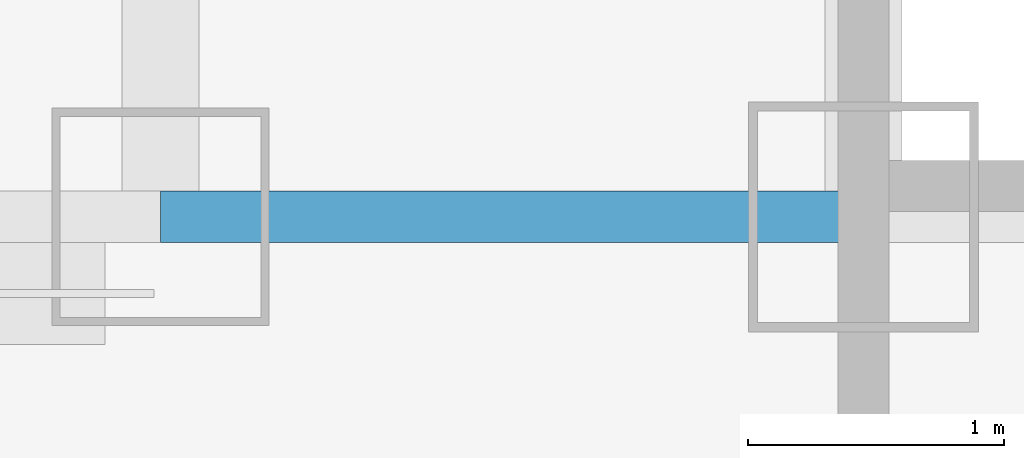
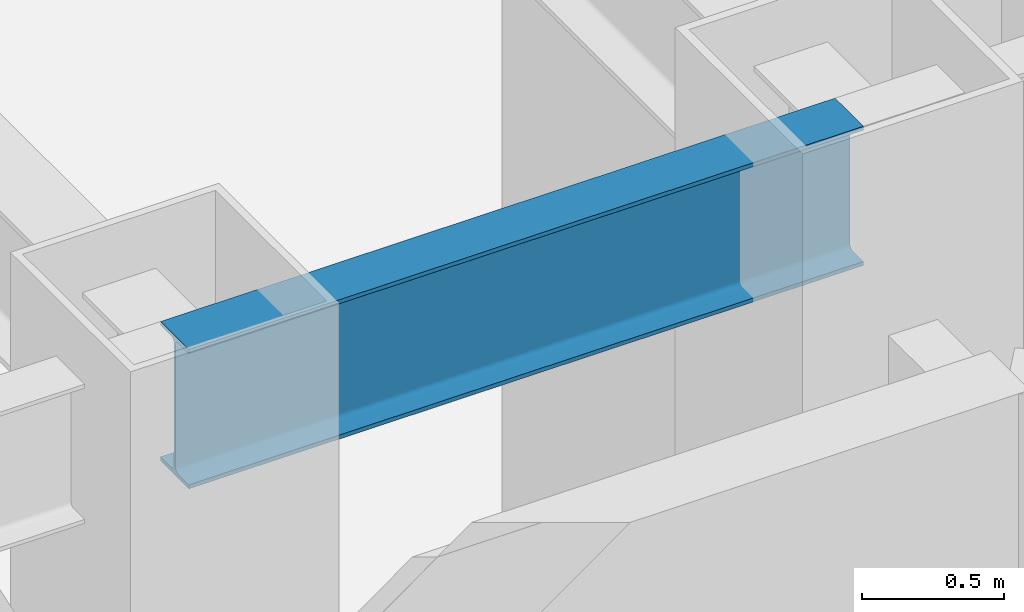
# One storey, part 3 of 30: 1 beam.
"""IFC4 building model written with IfcOpenShell, lengths in metres."""

from ifc_helpers import new_model, si_unit, direction, frame, origin, origin_2d, place, context, subcontext, project, spatial, i_section, extrude, material, material_profile, profile_set, type_object, element, save


model = new_model("IFC4")

# Units and contexts
model_context = context("Model", 3, precision=1e-05, world=origin(), true_north=direction((0.0, 1.0)))
body_context = subcontext(model_context, "Body", "Model", "MODEL_VIEW")
ifc_project = project(units=[si_unit("LENGTHUNIT", "METRE"), si_unit("AREAUNIT", "SQUARE_METRE"), si_unit("VOLUMEUNIT", "CUBIC_METRE"), si_unit("PLANEANGLEUNIT", "RADIAN"), si_unit("MASSUNIT", "GRAM", prefix="KILO")], contexts=[model_context])

# Site, building, storey
site_placement = place(None, origin())
site = spatial("IfcSite", under=ifc_project, at=site_placement, CompositionType="ELEMENT")
building_placement = place(site_placement, origin())
building = spatial("IfcBuilding", under=site, at=building_placement, Name="Hatsunagi Terrace Concourse", CompositionType="ELEMENT")
storey_placement = place(building_placement, frame((0.0, 0.0, 101.25)))
storey = spatial("IfcBuildingStorey", under=building, at=storey_placement, Name="L26", CompositionType="ELEMENT", Elevation=101.25)

# Beam
ifc_material = material(Name="Steel SN490B", Category="steel")
ifc_material_profile = material_profile(ifc_material, i_section(OverallWidth=0.199951171875, OverallDepth=0.60009765625, WebThickness=0.010986328125, FlangeThickness=0.01708984375, FilletRadius=0.01806640625, at=origin_2d()), Name="H-600x200x11x17")
ifc_profile_set = profile_set([ifc_material_profile], Name="Steel SN490B")
beam_type = type_object("IfcBeamType", Name="PerimeterSpandrel_H_600x200", PredefinedType="SPANDREL", material=ifc_profile_set)
beam_placement = place(storey_placement, frame((22.800048828125, 25.199951171875, 3.050048828125), z_axis=(1.0, 0.0, 0.0), x_axis=(0.0, 1.0, 0.0)))
element("IfcBeam", 1, at=beam_placement, inside=storey, type_object=beam_type, Name="Beam SP-01 BM-L26-WS-22", PredefinedType="SPANDREL", context=body_context, shape_type="SweptSolid", body=[
    extrude(i_section(OverallWidth=0.199951171875, OverallDepth=0.60009765625, WebThickness=0.010986328125, FlangeThickness=0.01708984375, FilletRadius=0.01806640625, at=origin_2d()), origin(), (0.0, 0.0, 1.0), 2.75),
])

save(model, "model.ifc")
